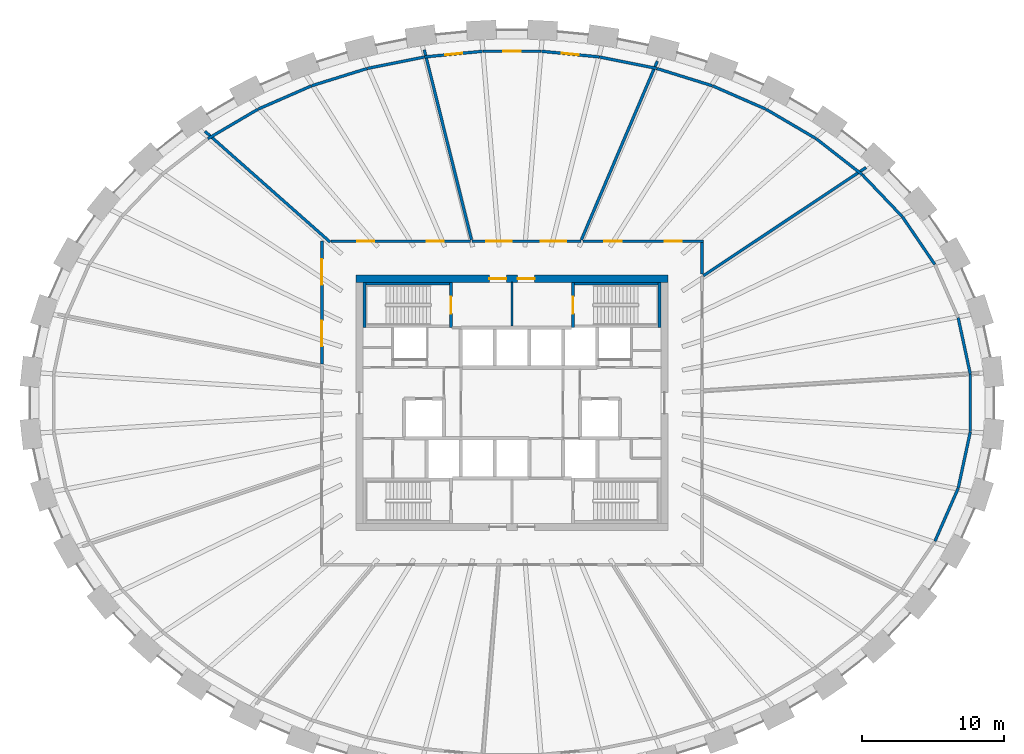
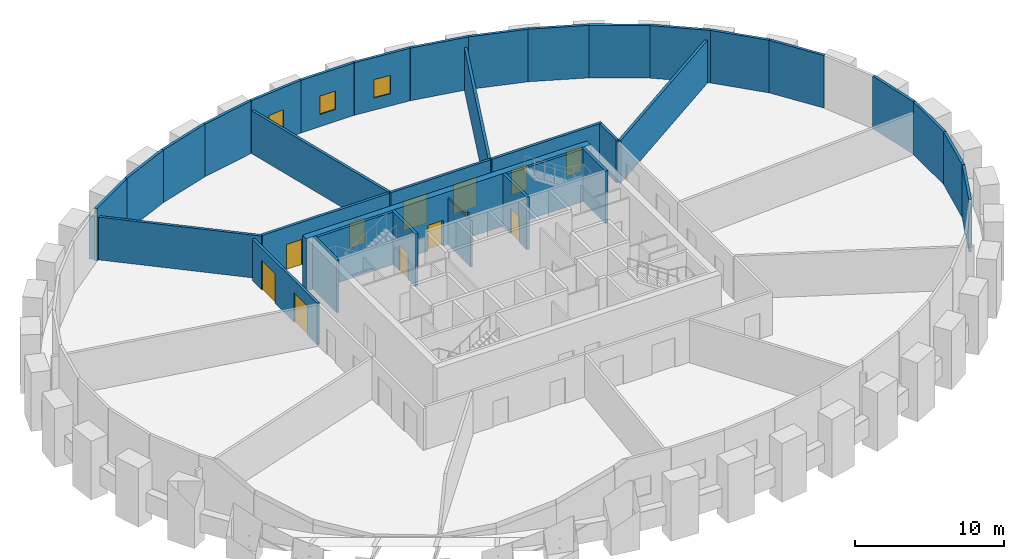
# One storey, part 6 of 8: 35 walls, 12 doors, 3 windows, 15 openings.
"""IFC4 building model written with IfcOpenShell, lengths in metres."""

import ifcopenshell
import ifcopenshell.guid

model = None  # the IFC model being written
_history = None  # IfcOwnerHistory: only IFC2X3 demands one
_inside = {}  # id of a spatial element -> (the spatial element, [elements in it])
_under = {}  # id of a project, library or spatial element -> (it, [spatial elements below it])
_declared = {}  # id of a project -> (the project, [libraries it declares])
_typed = {}  # id of a type object -> (the type object, [elements of that type])
_made_of = {}  # id of a material, layer set ... -> (it, [elements and type objects made of it])


def new_model(schema):
    """Start an empty IFC model of exactly this schema.

    Asked for "IFC4X3", IfcOpenShell would pick the latest addendum, in which some entities
    have other attributes; the version numbers below select the first issue.
    IFC2X3 requires an IfcOwnerHistory on every rooted entity: one is made here for all.
    """
    global model, _history
    if schema == "IFC4X3":
        model = ifcopenshell.file(schema_version=(4, 3, 0, 0))
    else:
        model = ifcopenshell.file(schema=schema)
    _inside.clear()
    _under.clear()
    _declared.clear()
    _typed.clear()
    _made_of.clear()
    _history = None
    if model.schema == "IFC2X3":
        org = make("IfcOrganization", Name="unknown")
        user = make(
            "IfcPersonAndOrganization",
            ThePerson=make("IfcPerson", FamilyName="unknown"),
            TheOrganization=org,
        )
        app = make(
            "IfcApplication",
            ApplicationDeveloper=org,
            Version="unknown",
            ApplicationFullName="unknown",
            ApplicationIdentifier="unknown",
        )
        _history = make(
            "IfcOwnerHistory",
            OwningUser=user,
            OwningApplication=app,
            ChangeAction="ADDED",
            CreationDate=0,
        )
    return model


def make(cls, **values):
    """One entity of the class cls with the attributes given. An attribute that is None is left unset."""
    return model.create_entity(
        cls, **{name: value for name, value in values.items() if value is not None}
    )


def rooted(cls, **values):
    """An entity with a GlobalId (a new one), such as an element, a storey or a relation."""
    return make(cls, GlobalId=ifcopenshell.guid.new(), OwnerHistory=_history, **values)


def si_unit(unit_type, name, prefix=None):
    """IfcSIUnit, for example si_unit("LENGTHUNIT", "METRE", prefix="MILLI")."""
    return make("IfcSIUnit", UnitType=unit_type, Prefix=prefix, Name=name)


def assignment(units):
    """IfcUnitAssignment: the units of a project."""
    return None if units is None else make("IfcUnitAssignment", Units=units)


def point(xyz):
    """IfcCartesianPoint."""
    return None if xyz is None else make("IfcCartesianPoint", Coordinates=xyz)


def direction(xyz):
    """IfcDirection."""
    return None if xyz is None else make("IfcDirection", DirectionRatios=xyz)


def frame(location, z_axis=None, x_axis=None):
    """IfcAxis2Placement3D, a coordinate frame: its origin and axes. An axis left out is left unset."""
    return make(
        "IfcAxis2Placement3D",
        Location=point(location),
        Axis=direction(z_axis),
        RefDirection=direction(x_axis),
    )


def frame_2d(location, x_axis=None):
    """IfcAxis2Placement2D, a coordinate frame in the plane: its origin and x axis."""
    return make(
        "IfcAxis2Placement2D", Location=point(location), RefDirection=direction(x_axis)
    )


def origin():
    """The frame at (0, 0, 0) with its axes left unset."""
    return frame((0.0, 0.0, 0.0))


def place(relative_to, where):
    """IfcLocalPlacement: puts the frame where relative to a parent placement (None: the world)."""
    return make(
        "IfcLocalPlacement", PlacementRelTo=relative_to, RelativePlacement=where
    )


def context(
    kind, dimensions, precision=None, world=None, true_north=None, identifier=None
):
    """IfcGeometricRepresentationContext, for example the 3D "Model" context."""
    return make(
        "IfcGeometricRepresentationContext",
        ContextIdentifier=identifier,
        ContextType=kind,
        CoordinateSpaceDimension=dimensions,
        Precision=precision,
        WorldCoordinateSystem=world,
        TrueNorth=true_north,
    )


def subcontext(parent, identifier, kind, view, scale=None):
    """IfcGeometricRepresentationSubContext, for example "Body" below "Model"."""
    return make(
        "IfcGeometricRepresentationSubContext",
        ContextIdentifier=identifier,
        ContextType=kind,
        ParentContext=parent,
        TargetScale=scale,
        TargetView=view,
    )


def project(units=None, contexts=None):
    """IfcProject with its units and contexts."""
    return rooted(
        "IfcProject",
        Name="project",
        RepresentationContexts=contexts,
        UnitsInContext=assignment(units),
    )


def spatial(cls, under=None, at=None, **own):
    """A site, building, storey or space (cls), placed at a placement, below another one or the project."""
    s = rooted(cls, ObjectPlacement=at, **own)
    if under is not None:
        _under.setdefault(under.id(), (under, []))[1].append(s)
    return s


def profile(cls, at=None, kind="AREA", **sizes):
    """A parametric profile (cls). Its sizes go by their IFC names, for example OverallWidth=200.0."""
    return make(cls, ProfileType=kind, Position=at, **sizes)


def rectangle(**sizes):
    """IfcRectangleProfileDef."""
    return profile("IfcRectangleProfileDef", **sizes)


def extrude(swept, where, along, depth):
    """IfcExtrudedAreaSolid: the profile swept, set in the frame where, extruded along a direction by depth."""
    return make(
        "IfcExtrudedAreaSolid",
        SweptArea=swept,
        Position=where,
        ExtrudedDirection=direction(along),
        Depth=depth,
    )


def shape(context_of_items, identifier, shape_type, items):
    """IfcShapeRepresentation: the items that make up one representation, for example the "Body"."""
    return make(
        "IfcShapeRepresentation",
        ContextOfItems=context_of_items,
        RepresentationIdentifier=identifier,
        RepresentationType=shape_type,
        Items=items,
    )


def source(mapping_origin, context_of_items, identifier, shape_type, items):
    """IfcRepresentationMap: a shape defined once, which mapped items show again and again."""
    return make(
        "IfcRepresentationMap",
        MappingOrigin=mapping_origin,
        MappedRepresentation=shape(context_of_items, identifier, shape_type, items),
    )


def transform(
    local_origin,
    x_axis=None,
    y_axis=None,
    z_axis=None,
    scale=None,
    scale2=None,
    scale3=None,
    uniform=True,
):
    """IfcCartesianTransformationOperator3D, or its non-uniform kind. x_axis, y_axis, z_axis: its Axis1, 2, 3."""
    if uniform:
        return make(
            "IfcCartesianTransformationOperator3D",
            Axis1=direction(x_axis),
            Axis2=direction(y_axis),
            LocalOrigin=point(local_origin),
            Scale=scale,
            Axis3=direction(z_axis),
        )
    return make(
        "IfcCartesianTransformationOperator3DnonUniform",
        Axis1=direction(x_axis),
        Axis2=direction(y_axis),
        LocalOrigin=point(local_origin),
        Scale=scale,
        Axis3=direction(z_axis),
        Scale2=scale2,
        Scale3=scale3,
    )


def mapped(mapping_source, mapping_target):
    """IfcMappedItem: shows the shape of a source again, moved by a transform."""
    return make(
        "IfcMappedItem", MappingSource=mapping_source, MappingTarget=mapping_target
    )


def material(Name=None, Category=None):
    """IfcMaterial."""
    return make("IfcMaterial", Name=Name, Category=Category)


def layer(
    of_material, thickness, ventilated=None, Name=None, Category=None, Priority=None
):
    """IfcMaterialLayer: one layer of a wall or slab, of a material (None: an air gap)."""
    return make(
        "IfcMaterialLayer",
        Material=of_material,
        LayerThickness=thickness,
        IsVentilated=ventilated,
        Name=Name,
        Category=Category,
        Priority=Priority,
    )


def layer_set(layers, Name=None):
    """IfcMaterialLayerSet."""
    return make("IfcMaterialLayerSet", MaterialLayers=layers, LayerSetName=Name)


def made_of(thing, what):
    """Note that an element or type object is made of a material, layer set ...; save() writes the relation."""
    if what is not None:
        _made_of.setdefault(what.id(), (what, []))[1].append(thing)
    return thing


def type_object(cls, material=None, **own):
    """A type object (cls), such as IfcWallType, which elements share."""
    return made_of(rooted(cls, **own), material)


def element(
    cls,
    number,
    at=None,
    inside=None,
    cuts=None,
    type_object=None,
    material=None,
    context=None,
    identifier="Body",
    shape_type=None,
    held_by="IfcProductDefinitionShape",
    body=None,
    shapes=None,
    **own,
):
    """One element of the class cls, such as IfcWall. Its Tag is "e" and its number.

    at: its placement. inside: the storey or other place that contains it. cuts: it is an
    opening in that element (IfcRelVoidsElement). A single representation is given by context,
    identifier, shape_type and body (its items); several are given by shapes. held_by: the class
    of the entity that holds the representations. save() writes the other relations.
    """
    e = rooted(cls, Tag="e%d" % number, ObjectPlacement=at, **own)
    if body is not None:
        shapes = [shape(context, identifier, shape_type, body)]
    if shapes is not None:
        e.Representation = make(held_by, Representations=shapes)
    if inside is not None:
        _inside.setdefault(inside.id(), (inside, []))[1].append(e)
    if cuts is not None:
        rooted(
            "IfcRelVoidsElement", RelatingBuildingElement=cuts, RelatedOpeningElement=e
        )
    if type_object is not None:
        _typed.setdefault(type_object.id(), (type_object, []))[1].append(e)
    return made_of(e, material)


def fill(opening, filler):
    """IfcRelFillsElement: the door or window that sits in an opening."""
    return rooted(
        "IfcRelFillsElement",
        RelatingOpeningElement=opening,
        RelatedBuildingElement=filler,
    )


def aggregate(whole, parts):
    """IfcRelAggregates: a whole, such as a stair, and the parts it consists of."""
    return rooted("IfcRelAggregates", RelatingObject=whole, RelatedObjects=parts)


def save(model, path):
    """Write the relations noted so far, then the file.

    IfcRelAggregates (storeys below a building ...), IfcRelContainedInSpatialStructure (elements
    in a storey), IfcRelDefinesByType, IfcRelAssociatesMaterial and IfcRelDeclares: one each for
    every whole, place, type object, material and project.
    """
    for whole, parts in _under.values():
        aggregate(whole, parts)
    for where, things in _inside.values():
        rooted(
            "IfcRelContainedInSpatialStructure",
            RelatedElements=things,
            RelatingStructure=where,
        )
    for kind, things in _typed.values():
        rooted("IfcRelDefinesByType", RelatedObjects=things, RelatingType=kind)
    for what, things in _made_of.values():
        rooted("IfcRelAssociatesMaterial", RelatedObjects=things, RelatingMaterial=what)
    for by, libraries in _declared.values():
        rooted("IfcRelDeclares", RelatingContext=by, RelatedDefinitions=libraries)
    model.write(path)


model = new_model("IFC4")

# Units and contexts
model_context = context("Model", 3, precision=1e-05, world=origin(), true_north=direction((0.0, 1.0)))
body_context = subcontext(model_context, "Body", "Model", "MODEL_VIEW")
ifc_project = project(units=[si_unit("LENGTHUNIT", "METRE"), si_unit("AREAUNIT", "SQUARE_METRE"), si_unit("VOLUMEUNIT", "CUBIC_METRE"), si_unit("PLANEANGLEUNIT", "RADIAN"), si_unit("MASSUNIT", "GRAM", prefix="KILO")], contexts=[model_context])

# Site, building, storey
site_placement = place(None, origin())
site = spatial("IfcSite", under=ifc_project, at=site_placement, CompositionType="ELEMENT")
building_placement = place(site_placement, origin())
building = spatial("IfcBuilding", under=site, at=building_placement, Name="Embergate Tower", CompositionType="ELEMENT")
storey_placement = place(building_placement, frame((0.0, 0.0, 241.60009765625)))
storey = spatial("IfcBuildingStorey", under=building, at=storey_placement, Name="L55", CompositionType="ELEMENT", Elevation=241.60009765625)

# Wall, openings, doors
ifc_material_1 = material(Name="Concrete C50", Category="concrete")
ifc_layer_1 = layer(ifc_material_1, 0.5)
ifc_layer_set_1 = layer_set([ifc_layer_1], Name="Concrete C50")
wall_type_1 = type_object("IfcWallType", Name="Core outer wall C50 500", PredefinedType="SHEAR", material=ifc_layer_set_1)
shared_shape_1 = source(origin(), body_context, "Body", "SweptSolid", [
    extrude(rectangle(XDim=22.0, YDim=0.5, at=frame_2d((11.0, 0.0))), origin(), (0.0, 0.0, 1.0), 4.2998046875),
])
wall_1_placement = place(storey_placement, frame((-11.0, 8.75, 0.0), z_axis=(0.0, 0.0, 1.0), x_axis=(1.0, 0.0, 0.0)))
wall_1 = element("IfcWall", 1, at=wall_1_placement, inside=storey, type_object=wall_type_1, Name="CW-L55-N", PredefinedType="SHEAR", context=body_context, shape_type="MappedRepresentation", body=[
    mapped(shared_shape_1, transform((0.0, 0.0, 0.0))),
])
shared_shape_2 = source(origin(), body_context, "Body", "SweptSolid", [
    extrude(rectangle(XDim=1.199951171875, YDim=2.10009765625, at=frame_2d((0.60009765625, 1.050048828125))), frame((0.0, 0.260009765625, 0.0), z_axis=(0.0, -1.0, 0.0), x_axis=(1.0, 0.0, 0.0)), (0.0, 0.0, 1.0), 0.52001953125),
])
opening_1_placement = place(wall_1_placement, frame((9.39990234375, 0.0, 0.0)))
opening_1 = element("IfcOpeningElement", 2, at=opening_1_placement, cuts=wall_1, Name="Opening IF-1", PredefinedType="OPENING", context=body_context, shape_type="MappedRepresentation", body=[
    mapped(shared_shape_2, transform((0.0, 0.0, 0.0))),
])
opening_2_placement = place(wall_1_placement, frame((11.39990234375, 0.0, 0.0)))
opening_2 = element("IfcOpeningElement", 3, at=opening_2_placement, cuts=wall_1, Name="Opening IF-1", PredefinedType="OPENING", context=body_context, shape_type="MappedRepresentation", body=[
    mapped(shared_shape_2, transform((0.0, 0.0, 0.0))),
])
ifc_material_2 = material(Name="Escape fire door 1200")
door_type_1 = type_object("IfcDoorType", Name="Escape fire door 1200", OperationType="SINGLE_SWING_LEFT", PredefinedType="DOOR", material=ifc_material_2)
shared_shape_3 = source(origin(), body_context, "Body", "SweptSolid", [
    extrude(rectangle(XDim=1.199951171875, YDim=2.10009765625, at=frame_2d((0.60009765625, 1.050048828125))), frame((0.0, 0.02490234375, 0.0), z_axis=(0.0, -1.0, 0.0), x_axis=(1.0, 0.0, 0.0)), (0.0, 0.0, 1.0), 0.050048828125),
])
door_1_placement = place(opening_1_placement, origin())
door_1 = element("IfcDoor", 4, at=door_1_placement, inside=storey, type_object=door_type_1, Name="IF-1 door", OperationType="SINGLE_SWING_RIGHT", OverallHeight=2.10009765625, OverallWidth=1.199951171875, PredefinedType="DOOR", context=body_context, shape_type="MappedRepresentation", body=[
    mapped(shared_shape_3, transform((0.0, 0.0, 0.0))),
])
fill(opening_1, door_1)
door_2_placement = place(opening_2_placement, origin())
door_2 = element("IfcDoor", 5, at=door_2_placement, inside=storey, type_object=door_type_1, Name="IF-1 door", OperationType="SINGLE_SWING_RIGHT", OverallHeight=2.10009765625, OverallWidth=1.199951171875, PredefinedType="DOOR", context=body_context, shape_type="MappedRepresentation", body=[
    mapped(shared_shape_3, transform((0.0, 0.0, 0.0))),
])
fill(opening_2, door_2)

# Walls
ifc_material_3 = material(Name="Terracotta louvre cladding on insulated backing", Category="masonry")
ifc_layer_2 = layer(ifc_material_3, 0.199951171875)
ifc_layer_set_2 = layer_set([ifc_layer_2], Name="Terracotta louvre cladding on insulated backing")
wall_type_2 = type_object("IfcWallType", Name="Terracotta louvre wall", PredefinedType="SOLIDWALL", material=ifc_layer_set_2)
shared_shape_4 = source(origin(), body_context, "Body", "SweptSolid", [
    extrude(rectangle(XDim=4.05078125, YDim=0.199951171875, at=frame_2d((2.025390625, 0.0))), origin(), (0.0, 0.0, 1.0), 4.2998046875),
])
for number, where, z_axis, x_axis, name in (
    (6, (31.440673828125, 6.004150390625, 0.0), (0.0, 0.0, 1.0), (0.210397460999, -0.977615930928, 0.0), "Louvre wall 1"),
    (7, (32.29296875, -2.0439453125, 0.0), (0.0, 0.0, 1.0), (-0.210397460999, -0.977615930928, 0.0), "Louvre wall 43"),
):
    element("IfcWall", number, at=place(storey_placement, frame(where, z_axis=z_axis, x_axis=x_axis)), inside=storey, type_object=wall_type_2, Name=name, PredefinedType="SOLIDWALL", context=body_context, shape_type="MappedRepresentation", body=[
        mapped(shared_shape_4, transform((0.0, 0.0, 0.0))),
    ])
shared_shape_5 = source(origin(), body_context, "Body", "SweptSolid", [
    extrude(rectangle(XDim=4.057861328125, YDim=0.199951171875, at=frame_2d((2.02880859375, 0.0))), origin(), (0.0, 0.0, 1.0), 4.2998046875),
])
wall_2_placement = place(storey_placement, frame((31.4345703125, -6.023193359375, 0.0), z_axis=(0.0, 0.0, 1.0), x_axis=(-0.401667691824, -0.915785490901, 0.0)))
element("IfcWall", 8, at=wall_2_placement, inside=storey, type_object=wall_type_2, Name="Louvre wall 42", PredefinedType="SOLIDWALL", context=body_context, shape_type="MappedRepresentation", body=[
    mapped(shared_shape_5, transform((0.0, 0.0, 0.0))),
])
shared_shape_6 = source(origin(), body_context, "Body", "SweptSolid", [
    extrude(rectangle(XDim=4.066650390625, YDim=0.199951171875, at=frame_2d((2.033203125, 0.0))), origin(), (0.0, 0.0, 1.0), 4.2998046875),
])
wall_3_placement = place(storey_placement, frame((27.508056640625, 13.119384765625, 0.0), z_axis=(0.0, 0.0, 1.0), x_axis=(0.562337936213, -0.826907519312, 0.0)))
element("IfcWall", 9, at=wall_3_placement, inside=storey, type_object=wall_type_2, Name="Louvre wall 3", PredefinedType="SOLIDWALL", context=body_context, shape_type="MappedRepresentation", body=[
    mapped(shared_shape_6, transform((0.0, 0.0, 0.0))),
])
shared_shape_7 = source(origin(), body_context, "Body", "SweptSolid", [
    extrude(rectangle(XDim=4.0751953125, YDim=0.199951171875, at=frame_2d((2.03759765625, 0.0))), origin(), (0.0, 0.0, 1.0), 4.2998046875),
])
wall_4_placement = place(storey_placement, frame((24.68310546875, 16.084228515625, 0.0), z_axis=(0.0, 0.0, 1.0), x_axis=(0.690133711383, -0.723681877908, 0.0)))
element("IfcWall", 10, at=wall_4_placement, inside=storey, type_object=wall_type_2, Name="Louvre wall 4", PredefinedType="SOLIDWALL", context=body_context, shape_type="MappedRepresentation", body=[
    mapped(shared_shape_7, transform((0.0, 0.0, 0.0))),
])
shared_shape_8 = source(origin(), body_context, "Body", "SweptSolid", [
    extrude(rectangle(XDim=4.0830078125, YDim=0.199951171875, at=frame_2d((2.04150390625, 0.0))), origin(), (0.0, 0.0, 1.0), 4.2998046875),
])
wall_5_placement = place(storey_placement, frame((21.449462890625, 18.60986328125, 0.0), z_axis=(0.0, 0.0, 1.0), x_axis=(0.788314368781, -0.615272667988, 0.0)))
element("IfcWall", 11, at=wall_5_placement, inside=storey, type_object=wall_type_2, Name="Louvre wall 5", PredefinedType="SOLIDWALL", context=body_context, shape_type="MappedRepresentation", body=[
    mapped(shared_shape_8, transform((0.0, 0.0, 0.0))),
])
shared_shape_9 = source(origin(), body_context, "Body", "SweptSolid", [
    extrude(rectangle(XDim=4.0888671875, YDim=0.199951171875, at=frame_2d((2.04443359375, 0.0))), origin(), (0.0, 0.0, 1.0), 4.2998046875),
])
for number, where, z_axis, x_axis, name in (
    (12, (17.908203125, 20.693359375, 0.0), (0.0, 0.0, 1.0), (0.862063119584, -0.506800925269, 0.0), "Louvre wall 6"),
    (13, (-21.43310546875, 18.62109375, 0.0), (0.0, 0.0, 1.0), (0.862063119584, 0.506800925269, 0.0), "Louvre wall 16"),
):
    element("IfcWall", number, at=place(storey_placement, frame(where, z_axis=z_axis, x_axis=x_axis)), inside=storey, type_object=wall_type_2, Name=name, PredefinedType="SOLIDWALL", context=body_context, shape_type="MappedRepresentation", body=[
        mapped(shared_shape_9, transform((0.0, 0.0, 0.0))),
    ])
shared_shape_10 = source(origin(), body_context, "Body", "SweptSolid", [
    extrude(rectangle(XDim=4.09375, YDim=0.199951171875, at=frame_2d((2.046875, 0.0))), origin(), (0.0, 0.0, 1.0), 4.2998046875),
])
for number, where, z_axis, x_axis, name in (
    (14, (14.1396484375, 22.342529296875, 0.0), (0.0, 0.0, 1.0), (0.916229864061, -0.400653012222, 0.0), "Louvre wall 7"),
    (15, (-17.890380859375, 20.702392578125, 0.0), (0.0, 0.0, 1.0), (0.916229864061, 0.400653012222, 0.0), "Louvre wall 15"),
):
    element("IfcWall", number, at=place(storey_placement, frame(where, z_axis=z_axis, x_axis=x_axis)), inside=storey, type_object=wall_type_2, Name=name, PredefinedType="SOLIDWALL", context=body_context, shape_type="MappedRepresentation", body=[
        mapped(shared_shape_10, transform((0.0, 0.0, 0.0))),
    ])
shared_shape_11 = source(origin(), body_context, "Body", "SweptSolid", [
    extrude(rectangle(XDim=4.096923828125, YDim=0.199951171875, at=frame_2d((2.04833984375, 0.0))), origin(), (0.0, 0.0, 1.0), 4.2998046875),
])
for number, where, z_axis, x_axis, name in (
    (16, (10.209228515625, 23.567626953125, 0.0), (0.0, 0.0, 1.0), (0.954782746395, -0.297304401558, 0.0), "Louvre wall 8"),
    (17, (-14.120849609375, 22.349609375, 0.0), (0.0, 0.0, 1.0), (0.954782746395, 0.297304401558, 0.0), "Louvre wall 14"),
):
    element("IfcWall", number, at=place(storey_placement, frame(where, z_axis=z_axis, x_axis=x_axis)), inside=storey, type_object=wall_type_2, Name=name, PredefinedType="SOLIDWALL", context=body_context, shape_type="MappedRepresentation", body=[
        mapped(shared_shape_11, transform((0.0, 0.0, 0.0))),
    ])
shared_shape_12 = source(origin(), body_context, "Body", "SweptSolid", [
    extrude(rectangle(XDim=4.09912109375, YDim=0.199951171875, at=frame_2d((2.049560546875, 0.0))), origin(), (0.0, 0.0, 1.0), 4.2998046875),
])
for number, where, z_axis, x_axis, name in (
    (18, (6.1708984375, 24.378662109375, 0.0), (0.0, 0.0, 1.0), (0.980470565335, -0.196665885478, 0.0), "Louvre wall 9"),
    (19, (-10.18994140625, 23.572509765625, 0.0), (0.0, 0.0, 1.0), (0.980470565335, 0.196665885478, 0.0), "Louvre wall 13"),
):
    element("IfcWall", number, at=place(storey_placement, frame(where, z_axis=z_axis, x_axis=x_axis)), inside=storey, type_object=wall_type_2, Name=name, PredefinedType="SOLIDWALL", context=body_context, shape_type="MappedRepresentation", body=[
        mapped(shared_shape_12, transform((0.0, 0.0, 0.0))),
    ])

# Wall, opening, window
shared_shape_13 = source(origin(), body_context, "Body", "SweptSolid", [
    extrude(rectangle(XDim=4.1005859375, YDim=0.199951171875, at=frame_2d((2.05029296875, 0.0))), origin(), (0.0, 0.0, 1.0), 4.2998046875),
])
wall_6_placement = place(storey_placement, frame((2.0703125, 24.78271484375, 0.0), z_axis=(0.0, 0.0, 1.0), x_axis=(0.995203779516, -0.097823500433, 0.0)))
wall_6 = element("IfcWall", 20, at=wall_6_placement, inside=storey, type_object=wall_type_2, Name="Louvre wall 10", PredefinedType="SOLIDWALL", context=body_context, shape_type="MappedRepresentation", body=[
    mapped(shared_shape_13, transform((0.0, 0.0, 0.0))),
])
shared_shape_14 = source(origin(), body_context, "Body", "SweptSolid", [
    extrude(rectangle(XDim=1.199951171875, YDim=1.5, at=frame_2d((0.60009765625, 0.75))), frame((0.0, 0.10986328125, 0.0), z_axis=(0.0, -1.0, 0.0), x_axis=(1.0, 0.0, 0.0)), (0.0, 0.0, 1.0), 0.219970703125),
])
opening_3_placement = place(wall_6_placement, frame((1.4501953125, 0.0, 1.0)))
opening_3 = element("IfcOpeningElement", 21, at=opening_3_placement, cuts=wall_6, Name="Opening RW", PredefinedType="OPENING", context=body_context, shape_type="MappedRepresentation", body=[
    mapped(shared_shape_14, transform((0.0, 0.0, 0.0))),
])
ifc_material_4 = material(Name="Aluminium, thermally broken, triple glazed", Category="aluminium")
window_type = type_object("IfcWindowType", Name="Refuge operable window", PartitioningType="SINGLE_PANEL", PredefinedType="WINDOW", material=ifc_material_4)
shared_shape_15 = source(origin(), body_context, "Body", "SweptSolid", [
    extrude(rectangle(XDim=1.199951171875, YDim=1.5, at=frame_2d((0.60009765625, 0.75))), frame((0.0, 0.030029296875, 0.0), z_axis=(0.0, -1.0, 0.0), x_axis=(1.0, 0.0, 0.0)), (0.0, 0.0, 1.0), 0.06005859375),
])
window_1_placement = place(opening_3_placement, origin())
window_1 = element("IfcWindow", 22, at=window_1_placement, inside=storey, type_object=window_type, Name="Refuge window 10", OverallHeight=1.5, OverallWidth=1.199951171875, PartitioningType="SINGLE_PANEL", PredefinedType="WINDOW", context=body_context, shape_type="MappedRepresentation", body=[
    mapped(shared_shape_15, transform((0.0, 0.0, 0.0))),
])
fill(opening_3, window_1)

wall_7_placement = place(storey_placement, frame((-2.05029296875, 24.78369140625, 0.0), z_axis=(0.0, 0.0, 1.0), x_axis=(1.0, 0.0, 0.0)))
wall_7 = element("IfcWall", 23, at=wall_7_placement, inside=storey, type_object=wall_type_2, Name="Louvre wall 11", PredefinedType="SOLIDWALL", context=body_context, shape_type="MappedRepresentation", body=[
    mapped(shared_shape_13, transform((0.0, 0.0, 0.0))),
])
opening_4_placement = place(wall_7_placement, frame((1.450439453125, 0.0, 1.0)))
opening_4 = element("IfcOpeningElement", 24, at=opening_4_placement, cuts=wall_7, Name="Opening RW", PredefinedType="OPENING", context=body_context, shape_type="MappedRepresentation", body=[
    mapped(shared_shape_14, transform((0.0, 0.0, 0.0))),
])
window_2_placement = place(opening_4_placement, origin())
window_2 = element("IfcWindow", 25, at=window_2_placement, inside=storey, type_object=window_type, Name="Refuge window 11", OverallHeight=1.5, OverallWidth=1.199951171875, PartitioningType="SINGLE_PANEL", PredefinedType="WINDOW", context=body_context, shape_type="MappedRepresentation", body=[
    mapped(shared_shape_15, transform((0.0, 0.0, 0.0))),
])
fill(opening_4, window_2)

wall_8_placement = place(storey_placement, frame((-6.151123046875, 24.381591796875, 0.0), z_axis=(0.0, 0.0, 1.0), x_axis=(0.995203779516, 0.097823500433, 0.0)))
wall_8 = element("IfcWall", 26, at=wall_8_placement, inside=storey, type_object=wall_type_2, Name="Louvre wall 12", PredefinedType="SOLIDWALL", context=body_context, shape_type="MappedRepresentation", body=[
    mapped(shared_shape_13, transform((0.0, 0.0, 0.0))),
])
opening_5_placement = place(wall_8_placement, frame((1.4501953125, 0.0, 1.0)))
opening_5 = element("IfcOpeningElement", 27, at=opening_5_placement, cuts=wall_8, Name="Opening RW", PredefinedType="OPENING", context=body_context, shape_type="MappedRepresentation", body=[
    mapped(shared_shape_14, transform((0.0, 0.0, 0.0))),
])
window_3_placement = place(opening_5_placement, origin())
window_3 = element("IfcWindow", 28, at=window_3_placement, inside=storey, type_object=window_type, Name="Refuge window 12", OverallHeight=1.5, OverallWidth=1.199951171875, PartitioningType="SINGLE_PANEL", PredefinedType="WINDOW", context=body_context, shape_type="MappedRepresentation", body=[
    mapped(shared_shape_15, transform((0.0, 0.0, 0.0))),
])
fill(opening_5, window_3)

# Wall
shared_shape_16 = source(origin(), body_context, "Body", "SweptSolid", [
    extrude(rectangle(XDim=4.04833984375, YDim=0.199951171875, at=frame_2d((2.024169921875, 0.0))), origin(), (0.0, 0.0, 1.0), 4.2998046875),
])
wall_9_placement = place(storey_placement, frame((32.294921875, 2.024169921875, 0.0), z_axis=(0.0, 0.0, 1.0), x_axis=(0.0, -1.0, 0.0)))
element("IfcWall", 29, at=wall_9_placement, inside=storey, type_object=wall_type_2, Name="Louvre wall 44", PredefinedType="SOLIDWALL", context=body_context, shape_type="MappedRepresentation", body=[
    mapped(shared_shape_16, transform((0.0, 0.0, 0.0))),
])

# Wall, opening, door
ifc_layer_3 = layer(ifc_material_1, 0.199951171875)
ifc_layer_set_3 = layer_set([ifc_layer_3], Name="Concrete C50")
wall_type_3 = type_object("IfcWallType", Name="Stair enclosure wall reinforced concrete 250", PredefinedType="SHEAR", material=ifc_layer_set_3)
shared_shape_17 = source(origin(), body_context, "Body", "SweptSolid", [
    extrude(rectangle(XDim=3.199951171875, YDim=0.199951171875, at=frame_2d((1.60009765625, 0.0))), origin(), (0.0, 0.0, 1.0), 4.2998046875),
])
wall_10_placement = place(storey_placement, frame((-4.300048828125, 5.300048828125, 0.0), z_axis=(0.0, 0.0, 1.0), x_axis=(0.0, 1.0, 0.0)))
wall_10 = element("IfcWall", 30, at=wall_10_placement, inside=storey, type_object=wall_type_3, Name="SE-1 wall", PredefinedType="SHEAR", context=body_context, shape_type="MappedRepresentation", body=[
    mapped(shared_shape_17, transform((0.0, 0.0, 0.0))),
])
shared_shape_18 = source(origin(), body_context, "Body", "SweptSolid", [
    extrude(rectangle(XDim=1.199951171875, YDim=2.10009765625, at=frame_2d((0.60009765625, 1.050048828125))), frame((0.0, 0.10986328125, 0.0), z_axis=(0.0, -1.0, 0.0), x_axis=(1.0, 0.0, 0.0)), (0.0, 0.0, 1.0), 0.219970703125),
])
opening_6_placement = place(wall_10_placement, frame((1.0, 0.0, 0.0)))
opening_6 = element("IfcOpeningElement", 31, at=opening_6_placement, cuts=wall_10, Name="Opening IF-2", PredefinedType="OPENING", context=body_context, shape_type="MappedRepresentation", body=[
    mapped(shared_shape_18, transform((0.0, 0.0, 0.0))),
])
ifc_material_5 = material(Name="Stair enclosure door 1200")
door_type_2 = type_object("IfcDoorType", Name="Stair enclosure door 1200", OperationType="SINGLE_SWING_LEFT", PredefinedType="DOOR", material=ifc_material_5)
door_3_placement = place(opening_6_placement, origin())
door_3 = element("IfcDoor", 32, at=door_3_placement, inside=storey, type_object=door_type_2, Name="IF-2 door", OperationType="SINGLE_SWING_RIGHT", OverallHeight=2.10009765625, OverallWidth=1.199951171875, PredefinedType="DOOR", context=body_context, shape_type="MappedRepresentation", body=[
    mapped(shared_shape_3, transform((0.0, 0.0, 0.0))),
])
fill(opening_6, door_3)

wall_11_placement = place(storey_placement, frame((4.300048828125, 8.5, 0.0), z_axis=(0.0, 0.0, 1.0), x_axis=(0.0, -1.0, 0.0)))
wall_11 = element("IfcWall", 33, at=wall_11_placement, inside=storey, type_object=wall_type_3, Name="SE-1 wall", PredefinedType="SHEAR", context=body_context, shape_type="MappedRepresentation", body=[
    mapped(shared_shape_17, transform((0.0, 0.0, 0.0))),
])
opening_7_placement = place(wall_11_placement, frame((1.0, 0.0, 0.0)))
opening_7 = element("IfcOpeningElement", 34, at=opening_7_placement, cuts=wall_11, Name="Opening IF-2", PredefinedType="OPENING", context=body_context, shape_type="MappedRepresentation", body=[
    mapped(shared_shape_18, transform((0.0, 0.0, 0.0))),
])
door_4_placement = place(opening_7_placement, origin())
door_4 = element("IfcDoor", 35, at=door_4_placement, inside=storey, type_object=door_type_2, Name="IF-2 door", OperationType="SINGLE_SWING_RIGHT", OverallHeight=2.10009765625, OverallWidth=1.199951171875, PredefinedType="DOOR", context=body_context, shape_type="MappedRepresentation", body=[
    mapped(shared_shape_3, transform((0.0, 0.0, 0.0))),
])
fill(opening_7, door_4)

# Walls
for number, where, z_axis, x_axis, name in (
    (36, (-10.39990234375, 8.5, 0.0), (0.0, 0.0, 1.0), (0.0, -1.0, 0.0), "SE-1 wall"),
    (37, (10.39990234375, 5.300048828125, 0.0), (0.0, 0.0, 1.0), (0.0, 1.0, 0.0), "SE-1 wall"),
):
    element("IfcWall", number, at=place(storey_placement, frame(where, z_axis=z_axis, x_axis=x_axis)), inside=storey, type_object=wall_type_3, Name=name, PredefinedType="SHEAR", context=body_context, shape_type="MappedRepresentation", body=[
        mapped(shared_shape_17, transform((0.0, 0.0, 0.0))),
    ])
ifc_material_6 = material(Name="Core partition blockwork 120")
ifc_layer_4 = layer(ifc_material_6, 0.1201171875)
ifc_layer_set_4 = layer_set([ifc_layer_4], Name="Core partition blockwork 120")
wall_type_4 = type_object("IfcWallType", Name="Core partition blockwork 120", PredefinedType="PARTITIONING", material=ifc_layer_set_4)
shared_shape_19 = source(origin(), body_context, "Body", "SweptSolid", [
    extrude(rectangle(XDim=3.074951171875, YDim=0.1201171875, at=frame_2d((1.53759765625, 0.0))), origin(), (0.0, 0.0, 1.0), 3.7998046875),
])
wall_12_placement = place(storey_placement, frame((0.0, 5.425048828125, 0.0), z_axis=(0.0, 0.0, 1.0), x_axis=(0.0, 1.0, 0.0)))
element("IfcWall", 38, at=wall_12_placement, inside=storey, type_object=wall_type_4, Name="IP-3 wall", PredefinedType="PARTITIONING", context=body_context, shape_type="MappedRepresentation", body=[
    mapped(shared_shape_19, transform((0.0, 0.0, 0.0))),
])
shared_shape_20 = source(origin(), body_context, "Body", "SweptSolid", [
    extrude(rectangle(XDim=6.298095703125, YDim=0.199951171875, at=frame_2d((3.14892578125, 0.0))), origin(), (0.0, 0.0, 1.0), 4.2998046875),
])
for number, where, z_axis, x_axis, name in (
    (39, (-4.201904296875, 8.39990234375, 0.0), (0.0, 0.0, 1.0), (-1.0, 0.0, 0.0), "SE-1 wall"),
    (40, (10.5, 8.39990234375, 0.0), (0.0, 0.0, 1.0), (-1.0, 0.0, 0.0), "SE-1 wall"),
):
    element("IfcWall", number, at=place(storey_placement, frame(where, z_axis=z_axis, x_axis=x_axis)), inside=storey, type_object=wall_type_3, Name=name, PredefinedType="SHEAR", context=body_context, shape_type="MappedRepresentation", body=[
        mapped(shared_shape_20, transform((0.0, 0.0, 0.0))),
    ])

# Wall, openings, doors
ifc_material_7 = material(Name="Blockwork, plastered", Category="masonry")
ifc_layer_5 = layer(ifc_material_7, 0.199951171875)
ifc_layer_set_5 = layer_set([ifc_layer_5], Name="Blockwork, plastered")
wall_type_5 = type_object("IfcWallType", Name="Fire partition wall 200 block", PredefinedType="PARTITIONING", material=ifc_layer_set_5)
shared_shape_21 = source(origin(), body_context, "Body", "SweptSolid", [
    extrude(rectangle(XDim=8.669921875, YDim=0.199951171875, at=frame_2d((4.3349609375, 0.0))), origin(), (0.0, 0.0, 1.0), 3.39990234375),
])
wall_13_placement = place(storey_placement, frame((-13.39990234375, 2.72998046875, 0.0), z_axis=(0.0, 0.0, 1.0), x_axis=(0.0, 1.0, 0.0)))
wall_13 = element("IfcWall", 41, at=wall_13_placement, inside=storey, type_object=wall_type_5, Name="Partition 005", PredefinedType="PARTITIONING", context=body_context, shape_type="MappedRepresentation", body=[
    mapped(shared_shape_21, transform((0.0, 0.0, 0.0))),
])
shared_shape_22 = source(origin(), body_context, "Body", "SweptSolid", [
    extrude(rectangle(XDim=1.800048828125, YDim=2.39990234375, at=frame_2d((0.89990234375, 1.199951171875))), frame((0.0, 0.10986328125, 0.0), z_axis=(0.0, -1.0, 0.0), x_axis=(1.0, 0.0, 0.0)), (0.0, 0.0, 1.0), 0.219970703125),
])
opening_8_placement = place(wall_13_placement, frame((1.26806640625, 0.0, 0.0)))
opening_8 = element("IfcOpeningElement", 42, at=opening_8_placement, cuts=wall_13, Name="Opening DS-229", PredefinedType="OPENING", context=body_context, shape_type="MappedRepresentation", body=[
    mapped(shared_shape_22, transform((0.0, 0.0, 0.0))),
])
opening_9_placement = place(wall_13_placement, frame((5.60302734375, 0.0, 0.0)))
opening_9 = element("IfcOpeningElement", 43, at=opening_9_placement, cuts=wall_13, Name="Opening DS-230", PredefinedType="OPENING", context=body_context, shape_type="MappedRepresentation", body=[
    mapped(shared_shape_22, transform((0.0, 0.0, 0.0))),
])
ifc_material_8 = material(Name="Timber door leaf, steel frame", Category="steel")
door_type_3 = type_object("IfcDoorType", Name="Double door 1800x2400", OperationType="DOUBLE_DOOR_SINGLE_SWING", PredefinedType="DOOR", material=ifc_material_8)
shared_shape_23 = source(origin(), body_context, "Body", "SweptSolid", [
    extrude(rectangle(XDim=1.800048828125, YDim=2.39990234375, at=frame_2d((0.89990234375, 1.199951171875))), frame((0.0, 0.02490234375, 0.0), z_axis=(0.0, -1.0, 0.0), x_axis=(1.0, 0.0, 0.0)), (0.0, 0.0, 1.0), 0.050048828125),
])
door_5_placement = place(opening_8_placement, origin())
door_5 = element("IfcDoor", 44, at=door_5_placement, inside=storey, type_object=door_type_3, Name="Door to Refuge area", OperationType="SINGLE_SWING_LEFT", OverallHeight=2.39990234375, OverallWidth=1.800048828125, PredefinedType="DOOR", context=body_context, shape_type="MappedRepresentation", body=[
    mapped(shared_shape_23, transform((0.0, 0.0, 0.0))),
])
fill(opening_8, door_5)
door_6_placement = place(opening_9_placement, origin())
door_6 = element("IfcDoor", 45, at=door_6_placement, inside=storey, type_object=door_type_3, Name="Door to Refuge area", OperationType="SINGLE_SWING_LEFT", OverallHeight=2.39990234375, OverallWidth=1.800048828125, PredefinedType="DOOR", context=body_context, shape_type="MappedRepresentation", body=[
    mapped(shared_shape_23, transform((0.0, 0.0, 0.0))),
])
fill(opening_9, door_6)

# Wall
shared_shape_24 = source(origin(), body_context, "Body", "SweptSolid", [
    extrude(rectangle(XDim=11.7783203125, YDim=0.199951171875, at=frame_2d((5.88916015625, 0.0))), origin(), (0.0, 0.0, 1.0), 3.5),
])
wall_14_placement = place(storey_placement, frame((-12.81005859375, 11.333984375, 0.0), z_axis=(0.0, 0.0, 1.0), x_axis=(-0.749002497003, 0.662567173563, 0.0)))
element("IfcWall", 46, at=wall_14_placement, inside=storey, type_object=wall_type_5, Name="Partition 006", PredefinedType="PARTITIONING", context=body_context, shape_type="MappedRepresentation", body=[
    mapped(shared_shape_24, transform((0.0, 0.0, 0.0))),
])

# Wall, openings, doors
shared_shape_25 = source(origin(), body_context, "Body", "SweptSolid", [
    extrude(rectangle(XDim=9.81396484375, YDim=0.199951171875, at=frame_2d((4.906982421875, 0.0))), origin(), (0.0, 0.0, 1.0), 3.5),
])
wall_15_placement = place(storey_placement, frame((-12.7548828125, 11.39990234375, 0.0), z_axis=(0.0, 0.0, 1.0), x_axis=(1.0, 0.0, 0.0)))
wall_15 = element("IfcWall", 47, at=wall_15_placement, inside=storey, type_object=wall_type_5, Name="Partition 007", PredefinedType="PARTITIONING", context=body_context, shape_type="MappedRepresentation", body=[
    mapped(shared_shape_25, transform((0.0, 0.0, 0.0))),
])
opening_10_placement = place(wall_15_placement, frame((1.85400390625, 0.0, 0.0)))
opening_10 = element("IfcOpeningElement", 48, at=opening_10_placement, cuts=wall_15, Name="Opening DS-227", PredefinedType="OPENING", context=body_context, shape_type="MappedRepresentation", body=[
    mapped(shared_shape_18, transform((0.0, 0.0, 0.0))),
])
opening_11_placement = place(wall_15_placement, frame((6.760986328125, 0.0, 0.0)))
opening_11 = element("IfcOpeningElement", 49, at=opening_11_placement, cuts=wall_15, Name="Opening DS-228", PredefinedType="OPENING", context=body_context, shape_type="MappedRepresentation", body=[
    mapped(shared_shape_18, transform((0.0, 0.0, 0.0))),
])
door_type_4 = type_object("IfcDoorType", Name="Plant door 1200x2100", OperationType="SINGLE_SWING_LEFT", PredefinedType="DOOR", material=ifc_material_8)
shared_shape_26 = source(origin(), body_context, "Body", "SweptSolid", [
    extrude(rectangle(XDim=1.199951171875, YDim=2.10009765625, at=frame_2d((0.60009765625, 1.050048828125))), frame((0.0, 0.02490234375, 0.0), z_axis=(0.0, -1.0, 0.0), x_axis=(1.0, 0.0, 0.0)), (0.0, 0.0, 1.0), 0.050048828125),
])
door_7_placement = place(opening_10_placement, origin())
door_7 = element("IfcDoor", 50, at=door_7_placement, inside=storey, type_object=door_type_4, Name="Door to Chiller plant", OperationType="SINGLE_SWING_LEFT", OverallHeight=2.10009765625, OverallWidth=1.199951171875, PredefinedType="DOOR", context=body_context, shape_type="MappedRepresentation", body=[
    mapped(shared_shape_26, transform((0.0, 0.0, 0.0))),
])
fill(opening_10, door_7)
door_8_placement = place(opening_11_placement, origin())
door_8 = element("IfcDoor", 51, at=door_8_placement, inside=storey, type_object=door_type_4, Name="Door to Chiller plant", OperationType="SINGLE_SWING_LEFT", OverallHeight=2.10009765625, OverallWidth=1.199951171875, PredefinedType="DOOR", context=body_context, shape_type="MappedRepresentation", body=[
    mapped(shared_shape_26, transform((0.0, 0.0, 0.0))),
])
fill(opening_11, door_8)

# Wall
shared_shape_27 = source(origin(), body_context, "Body", "SweptSolid", [
    extrude(rectangle(XDim=13.796875, YDim=0.199951171875, at=frame_2d((6.8984375, 0.0))), origin(), (0.0, 0.0, 1.0), 3.5),
])
wall_16_placement = place(storey_placement, frame((-2.85498046875, 11.4970703125, 0.0), z_axis=(0.0, 0.0, 1.0), x_axis=(-0.241065580604, 0.970508828321, 0.0)))
element("IfcWall", 52, at=wall_16_placement, inside=storey, type_object=wall_type_5, Name="Partition 010", PredefinedType="PARTITIONING", context=body_context, shape_type="MappedRepresentation", body=[
    mapped(shared_shape_27, transform((0.0, 0.0, 0.0))),
])

# Wall, openings, doors
shared_shape_28 = source(origin(), body_context, "Body", "SweptSolid", [
    extrude(rectangle(XDim=7.678955078125, YDim=0.199951171875, at=frame_2d((3.83935546875, 0.0))), origin(), (0.0, 0.0, 1.0), 3.5),
])
wall_17_placement = place(storey_placement, frame((-2.8310546875, 11.39990234375, 0.0), z_axis=(0.0, 0.0, 1.0), x_axis=(1.0, 0.0, 0.0)))
wall_17 = element("IfcWall", 53, at=wall_17_placement, inside=storey, type_object=wall_type_5, Name="Partition 011", PredefinedType="PARTITIONING", context=body_context, shape_type="MappedRepresentation", body=[
    mapped(shared_shape_28, transform((0.0, 0.0, 0.0))),
])
opening_12_placement = place(wall_17_placement, frame((1.02001953125, 0.0, 0.0)))
opening_12 = element("IfcOpeningElement", 54, at=opening_12_placement, cuts=wall_17, Name="Opening DS-225", PredefinedType="OPENING", context=body_context, shape_type="MappedRepresentation", body=[
    mapped(shared_shape_22, transform((0.0, 0.0, 0.0))),
])
opening_13_placement = place(wall_17_placement, frame((4.85888671875, 0.0, 0.0)))
opening_13 = element("IfcOpeningElement", 55, at=opening_13_placement, cuts=wall_17, Name="Opening DS-226", PredefinedType="OPENING", context=body_context, shape_type="MappedRepresentation", body=[
    mapped(shared_shape_22, transform((0.0, 0.0, 0.0))),
])
door_9_placement = place(opening_12_placement, origin())
door_9 = element("IfcDoor", 56, at=door_9_placement, inside=storey, type_object=door_type_3, Name="Door to Refuge area", OperationType="SINGLE_SWING_LEFT", OverallHeight=2.39990234375, OverallWidth=1.800048828125, PredefinedType="DOOR", context=body_context, shape_type="MappedRepresentation", body=[
    mapped(shared_shape_23, transform((0.0, 0.0, 0.0))),
])
fill(opening_12, door_9)
door_10_placement = place(opening_13_placement, origin())
door_10 = element("IfcDoor", 57, at=door_10_placement, inside=storey, type_object=door_type_3, Name="Door to Refuge area", OperationType="SINGLE_SWING_LEFT", OverallHeight=2.39990234375, OverallWidth=1.800048828125, PredefinedType="DOOR", context=body_context, shape_type="MappedRepresentation", body=[
    mapped(shared_shape_23, transform((0.0, 0.0, 0.0))),
])
fill(opening_13, door_10)

# Wall
shared_shape_29 = source(origin(), body_context, "Body", "SweptSolid", [
    extrude(rectangle(XDim=13.684326171875, YDim=0.199951171875, at=frame_2d((6.84228515625, 0.0))), origin(), (0.0, 0.0, 1.0), 3.5),
])
wall_18_placement = place(storey_placement, frame((4.886962890625, 11.491943359375, 0.0), z_axis=(0.0, 0.0, 1.0), x_axis=(0.391323103221, 0.92025335038, 0.0)))
element("IfcWall", 58, at=wall_18_placement, inside=storey, type_object=wall_type_5, Name="Partition 014", PredefinedType="PARTITIONING", context=body_context, shape_type="MappedRepresentation", body=[
    mapped(shared_shape_29, transform((0.0, 0.0, 0.0))),
])

# Wall, openings, doors
shared_shape_30 = source(origin(), body_context, "Body", "SweptSolid", [
    extrude(rectangle(XDim=8.511962890625, YDim=0.199951171875, at=frame_2d((4.255859375, 0.0))), origin(), (0.0, 0.0, 1.0), 3.5),
])
wall_19_placement = place(storey_placement, frame((4.988037109375, 11.39990234375, 0.0), z_axis=(0.0, 0.0, 1.0), x_axis=(1.0, 0.0, 0.0)))
wall_19 = element("IfcWall", 59, at=wall_19_placement, inside=storey, type_object=wall_type_5, Name="Partition 015", PredefinedType="PARTITIONING", context=body_context, shape_type="MappedRepresentation", body=[
    mapped(shared_shape_30, transform((0.0, 0.0, 0.0))),
])
opening_14_placement = place(wall_19_placement, frame((1.528076171875, 0.0, 0.0)))
opening_14 = element("IfcOpeningElement", 60, at=opening_14_placement, cuts=wall_19, Name="Opening DS-223", PredefinedType="OPENING", context=body_context, shape_type="MappedRepresentation", body=[
    mapped(shared_shape_18, transform((0.0, 0.0, 0.0))),
])
opening_15_placement = place(wall_19_placement, frame((5.783935546875, 0.0, 0.0)))
opening_15 = element("IfcOpeningElement", 61, at=opening_15_placement, cuts=wall_19, Name="Opening DS-224", PredefinedType="OPENING", context=body_context, shape_type="MappedRepresentation", body=[
    mapped(shared_shape_18, transform((0.0, 0.0, 0.0))),
])
door_11_placement = place(opening_14_placement, origin())
door_11 = element("IfcDoor", 62, at=door_11_placement, inside=storey, type_object=door_type_4, Name="Door to Mechanical plant room", OperationType="SINGLE_SWING_LEFT", OverallHeight=2.10009765625, OverallWidth=1.199951171875, PredefinedType="DOOR", context=body_context, shape_type="MappedRepresentation", body=[
    mapped(shared_shape_26, transform((0.0, 0.0, 0.0))),
])
fill(opening_14, door_11)
door_12_placement = place(opening_15_placement, origin())
door_12 = element("IfcDoor", 63, at=door_12_placement, inside=storey, type_object=door_type_4, Name="Door to Mechanical plant room", OperationType="SINGLE_SWING_LEFT", OverallHeight=2.10009765625, OverallWidth=1.199951171875, PredefinedType="DOOR", context=body_context, shape_type="MappedRepresentation", body=[
    mapped(shared_shape_26, transform((0.0, 0.0, 0.0))),
])
fill(opening_15, door_12)

# Walls
shared_shape_31 = source(origin(), body_context, "Body", "SweptSolid", [
    extrude(rectangle(XDim=13.772216796875, YDim=0.199951171875, at=frame_2d((6.88623046875, 0.0))), origin(), (0.0, 0.0, 1.0), 3.5),
])
wall_20_placement = place(storey_placement, frame((13.48291015625, 8.965087890625, 0.0), z_axis=(0.0, 0.0, 1.0), x_axis=(0.832698812189, 0.553726185203, 0.0)))
element("IfcWall", 64, at=wall_20_placement, inside=storey, type_object=wall_type_5, Name="Partition 023", PredefinedType="PARTITIONING", context=body_context, shape_type="MappedRepresentation", body=[
    mapped(shared_shape_31, transform((0.0, 0.0, 0.0))),
])
shared_shape_32 = source(origin(), body_context, "Body", "SweptSolid", [
    extrude(rectangle(XDim=2.219970703125, YDim=0.199951171875, at=frame_2d((1.10986328125, 0.0))), origin(), (0.0, 0.0, 1.0), 3.5),
])
wall_21_placement = place(storey_placement, frame((13.39990234375, 11.300048828125, 0.0), z_axis=(0.0, 0.0, 1.0), x_axis=(0.0, -1.0, 0.0)))
element("IfcWall", 65, at=wall_21_placement, inside=storey, type_object=wall_type_5, Name="Partition 024", PredefinedType="PARTITIONING", context=body_context, shape_type="MappedRepresentation", body=[
    mapped(shared_shape_32, transform((0.0, 0.0, 0.0))),
])

save(model, "model.ifc")
